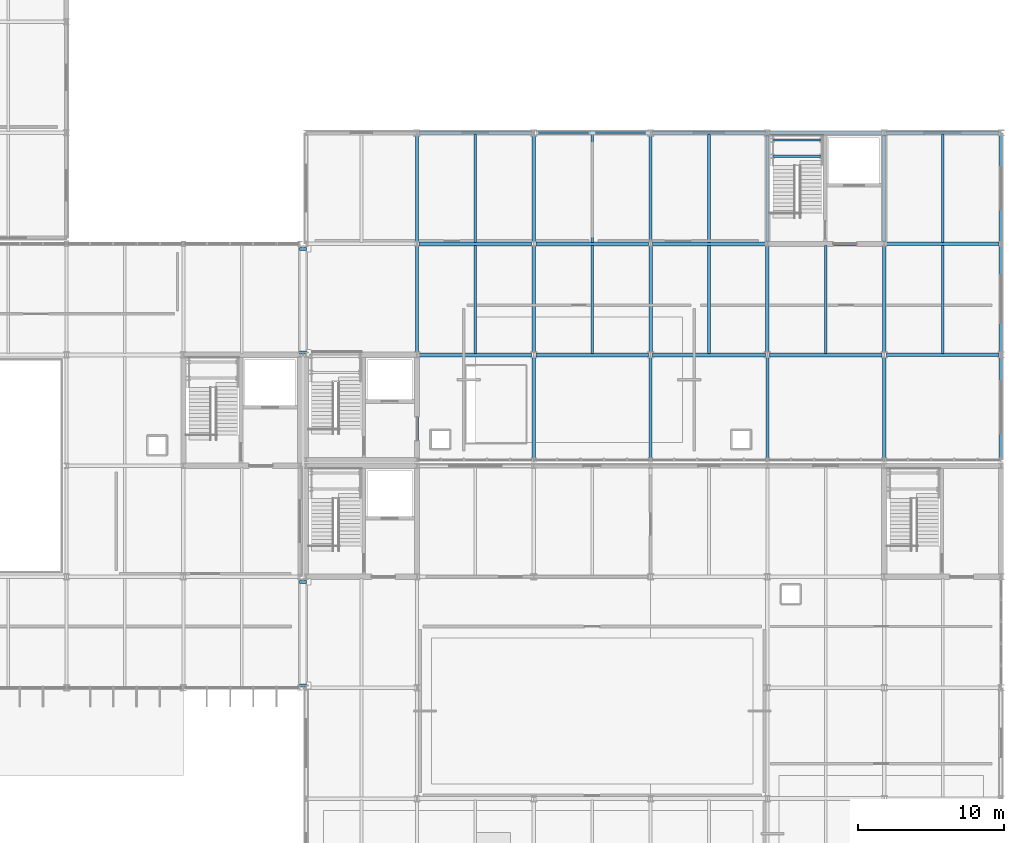
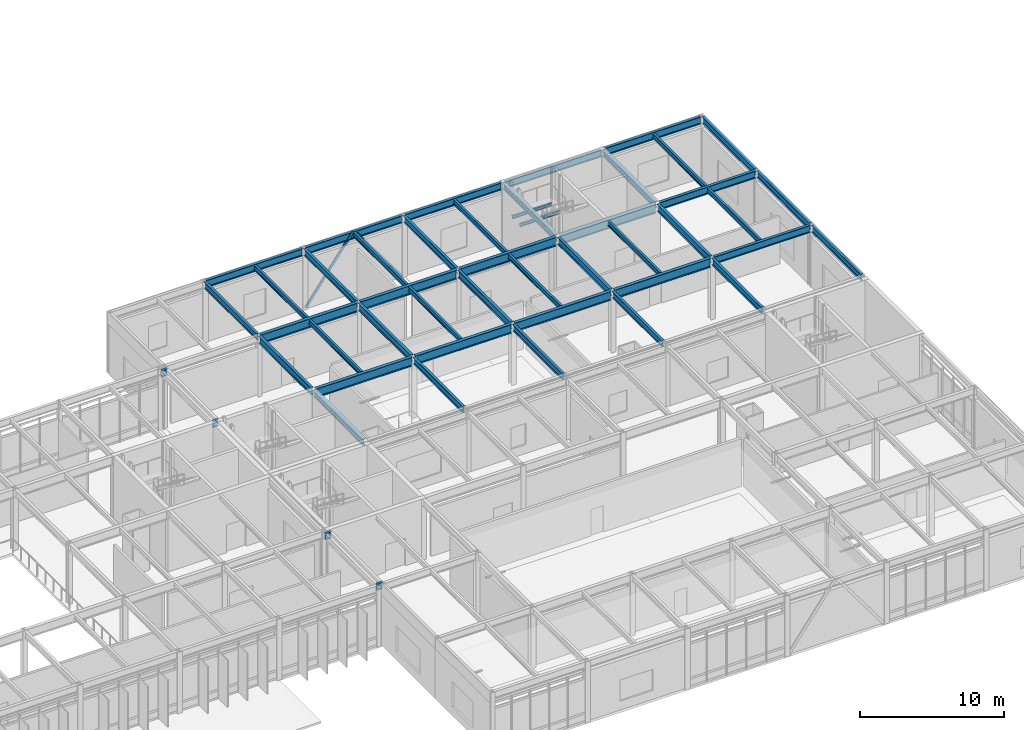
# One storey, part 60 of 94: 48 beams, 2 members.
"""IFC4 building model written with IfcOpenShell, lengths in metres."""

from ifc_helpers import new_model, si_unit, direction, frame, origin, origin_2d, place, context, subcontext, project, spatial, hollow_rectangle, i_section, extrude, material, material_profile, profile_set, type_object, element, save


model = new_model("IFC4")

# Units and contexts
model_context = context("Model", 3, precision=1e-05, world=origin(), true_north=direction((0.0, 1.0)))
body_context = subcontext(model_context, "Body", "Model", "MODEL_VIEW")
ifc_project = project(units=[si_unit("LENGTHUNIT", "METRE"), si_unit("AREAUNIT", "SQUARE_METRE"), si_unit("VOLUMEUNIT", "CUBIC_METRE"), si_unit("PLANEANGLEUNIT", "RADIAN"), si_unit("MASSUNIT", "GRAM", prefix="KILO")], contexts=[model_context])

# Site, building, storey
site_placement = place(None, origin())
site = spatial("IfcSite", under=ifc_project, at=site_placement, CompositionType="ELEMENT")
building_placement = place(site_placement, origin())
building = spatial("IfcBuilding", under=site, at=building_placement, Name="Zulena Civic Courthouse", CompositionType="ELEMENT")
storey_placement = place(building_placement, frame((0.0, 0.0, 5.39990234375)))
storey = spatial("IfcBuildingStorey", under=building, at=storey_placement, Name="L01", CompositionType="ELEMENT", Elevation=5.39990234375)

# Members
ifc_material_1 = material(Name="Steel ASTM A500 Grade C", Category="steel")
ifc_material_profile_1 = material_profile(ifc_material_1, hollow_rectangle(XDim=0.10205078125, YDim=0.202880859375, WallThickness=0.0087890625, at=origin_2d()), Name="HSS8X4X3/8")
ifc_profile_set_1 = profile_set([ifc_material_profile_1], Name="Steel ASTM A500 Grade C")
member_type = type_object("IfcMemberType", Name="Brace_HSS8X4", PredefinedType="BRACE", material=ifc_profile_set_1)
for number, where, z_axis, x_axis, name in (
    (1, (140.14990234375, 53.199951171875, 0.010009765625), (0.593725886298, 0.0, 0.804667367264), (0.0, 1.0, 0.0), "brace:V3:L01:3:0"),
    (2, (147.85009765625, 53.199951171875, 0.010009765625), (-0.593725886298, 0.0, 0.804667367264), (0.0, -1.0, 0.0), "brace:V3:L01:3:1"),
):
    element("IfcMember", number, at=place(storey_placement, frame(where, z_axis=z_axis, x_axis=x_axis)), inside=storey, type_object=member_type, Name=name, PredefinedType="BRACE", context=body_context, shape_type="SweptSolid", body=[
        extrude(hollow_rectangle(XDim=0.10205078125, YDim=0.202880859375, WallThickness=0.0087890625, at=origin_2d()), origin(), (0.0, 0.0, 1.0), 6.400390625),
    ])

# Beams
ifc_material_2 = material(Name="Steel ASTM A992 Grade 50", Category="steel")
ifc_material_profile_2 = material_profile(ifc_material_2, i_section(OverallWidth=0.2099609375, OverallDepth=0.537109375, WebThickness=0.010986328125, FlangeThickness=0.017333984375, FilletRadius=0.0126953125, at=origin_2d()), Name="W21X68")
ifc_profile_set_2 = profile_set([ifc_material_profile_2], Name="Steel ASTM A992 Grade 50")
beam_type_1 = type_object("IfcBeamType", Name="BridgeGirder_W21X68", PredefinedType="BEAM", material=ifc_profile_set_2)
for number, where, z_axis, x_axis, name in (
    (3, (123.969970703125, 15.35009765625, 4.91650390625), (1.0, 0.0, 0.0), (0.0, 1.0, 0.0), "beam:bridge:BR-41:L02:15.35"),
    (4, (123.969970703125, 22.449951171875, 4.91650390625), (1.0, 0.0, 0.0), (0.0, 1.0, 0.0), "beam:bridge:BR-41:L02:22.45"),
    (5, (123.969970703125, 38.14990234375, 4.91650390625), (1.0, 0.0, 0.0), (0.0, 1.0, 0.0), "beam:bridge:BR-43:L02:38.15"),
    (6, (123.969970703125, 45.25, 4.91650390625), (1.0, 0.0, 0.0), (0.0, 1.0, 0.0), "beam:bridge:BR-43:L02:45.25"),
):
    element("IfcBeam", number, at=place(storey_placement, frame(where, z_axis=z_axis, x_axis=x_axis)), inside=storey, type_object=beam_type_1, Name=name, PredefinedType="BEAM", context=body_context, shape_type="SweptSolid", body=[
        extrude(i_section(OverallWidth=0.2099609375, OverallDepth=0.537109375, WebThickness=0.010986328125, FlangeThickness=0.017333984375, FilletRadius=0.0126953125, at=origin_2d()), origin(), (0.0, 0.0, 1.0), 0.4599609375),
    ])
ifc_material_profile_3 = material_profile(ifc_material_2, i_section(OverallWidth=0.22802734375, OverallDepth=0.60693359375, WebThickness=0.01123046875, FlangeThickness=0.017333984375, FilletRadius=0.0126953125, at=origin_2d()), Name="W24X76")
ifc_profile_set_3 = profile_set([ifc_material_profile_3], Name="Steel ASTM A992 Grade 50")
beam_type_2 = type_object("IfcBeamType", Name="Girder_W24X76", PredefinedType="BEAM", material=ifc_profile_set_3)
for number, where, z_axis, x_axis, name in (
    (7, (132.0, 38.14501953125, 4.881591796875), (0.0, 1.0, 0.0), (-1.0, 0.0, 0.0), "beam:Y:V3:L01:132.0:38.0_45.6"),
    (8, (140.0, 38.14501953125, 4.881591796875), (0.0, 1.0, 0.0), (-1.0, 0.0, 0.0), "beam:Y:V3:L01:140.0:38.0_45.6"),
    (9, (148.0, 38.14501953125, 4.881591796875), (0.0, 1.0, 0.0), (-1.0, 0.0, 0.0), "beam:Y:V3:L01:148.0:38.0_45.6"),
    (10, (156.0, 38.14501953125, 4.881591796875), (0.0, 1.0, 0.0), (-1.0, 0.0, 0.0), "beam:Y:V3:L01:156.0:38.0_45.6"),
    (11, (164.0, 38.14501953125, 4.881591796875), (0.0, 1.0, 0.0), (-1.0, 0.0, 0.0), "beam:Y:V3:L01:164.0:38.0_45.6"),
):
    element("IfcBeam", number, at=place(storey_placement, frame(where, z_axis=z_axis, x_axis=x_axis)), inside=storey, type_object=beam_type_2, Name=name, PredefinedType="BEAM", context=body_context, shape_type="SweptSolid", body=[
        extrude(i_section(OverallWidth=0.22802734375, OverallDepth=0.60693359375, WebThickness=0.01123046875, FlangeThickness=0.017333984375, FilletRadius=0.0126953125, at=origin_2d()), origin(), (0.0, 0.0, 1.0), 7.31005859375),
    ])
ifc_material_profile_4 = material_profile(ifc_material_2, i_section(OverallWidth=0.26708984375, OverallDepth=0.761962890625, WebThickness=0.014404296875, FlangeThickness=0.021484375, FilletRadius=0.0166015625, at=origin_2d()), Name="W30X116")
ifc_profile_set_4 = profile_set([ifc_material_profile_4], Name="Steel ASTM A992 Grade 50")
beam_type_3 = type_object("IfcBeamType", Name="Girder_W30X116", PredefinedType="BEAM", material=ifc_profile_set_4)
for number, where, z_axis, x_axis, name in (
    (12, (132.14501953125, 38.0, 4.80419921875), (1.0, 0.0, 0.0), (0.0, 1.0, 0.0), "beam:X:V3:L01:38.0:132.0_140.0"),
    (13, (140.14501953125, 38.0, 4.80419921875), (1.0, 0.0, 0.0), (0.0, 1.0, 0.0), "beam:X:V3:L01:38.0:140.0_148.0"),
    (14, (148.14501953125, 38.0, 4.80419921875), (1.0, 0.0, 0.0), (0.0, 1.0, 0.0), "beam:X:V3:L01:38.0:148.0_156.0"),
    (15, (156.14501953125, 38.0, 4.80419921875), (1.0, 0.0, 0.0), (0.0, 1.0, 0.0), "beam:X:V3:L01:38.0:156.0_164.0"),
    (16, (132.14501953125, 45.60009765625, 4.80419921875), (1.0, 0.0, 0.0), (0.0, 1.0, 0.0), "beam:X:V3:L01:45.6:132.0_140.0"),
    (17, (140.14501953125, 45.60009765625, 4.80419921875), (1.0, 0.0, 0.0), (0.0, 1.0, 0.0), "beam:X:V3:L01:45.6:140.0_148.0"),
    (18, (148.14501953125, 45.60009765625, 4.80419921875), (1.0, 0.0, 0.0), (0.0, 1.0, 0.0), "beam:X:V3:L01:45.6:148.0_156.0"),
    (19, (156.14501953125, 45.60009765625, 4.80419921875), (1.0, 0.0, 0.0), (0.0, 1.0, 0.0), "beam:X:V3:L01:45.6:156.0_164.0"),
):
    element("IfcBeam", number, at=place(storey_placement, frame(where, z_axis=z_axis, x_axis=x_axis)), inside=storey, type_object=beam_type_3, Name=name, PredefinedType="BEAM", context=body_context, shape_type="SweptSolid", body=[
        extrude(i_section(OverallWidth=0.26708984375, OverallDepth=0.761962890625, WebThickness=0.014404296875, FlangeThickness=0.021484375, FilletRadius=0.0166015625, at=origin_2d()), origin(), (0.0, 0.0, 1.0), 7.7099609375),
    ])
ifc_material_profile_5 = material_profile(ifc_material_2, i_section(OverallWidth=0.14599609375, OverallDepth=0.258056640625, WebThickness=0.006103515625, FlangeThickness=0.009033203125, FilletRadius=0.007568359375, at=origin_2d()), Name="W10X22")
ifc_profile_set_5 = profile_set([ifc_material_profile_5], Name="Steel ASTM A992 Grade 50")
beam_type_4 = type_object("IfcBeamType", Name="Joist_W10X22", PredefinedType="JOIST", material=ifc_profile_set_5)
for number, where, z_axis, x_axis, name in (
    (20, (156.419921875, 51.60009765625, 2.291015625), (1.0, 0.0, 0.0), (0.0, 1.0, 0.0), "beam:lnd:K3B:L01:0"),
    (21, (156.419921875, 52.699951171875, 2.291015625), (1.0, 0.0, 0.0), (0.0, 1.0, 0.0), "beam:lnd:K3B:L01:1"),
):
    element("IfcBeam", number, at=place(storey_placement, frame(where, z_axis=z_axis, x_axis=x_axis)), inside=storey, type_object=beam_type_4, Name=name, PredefinedType="JOIST", context=body_context, shape_type="SweptSolid", body=[
        extrude(i_section(OverallWidth=0.14599609375, OverallDepth=0.258056640625, WebThickness=0.006103515625, FlangeThickness=0.009033203125, FilletRadius=0.007568359375, at=origin_2d()), origin(), (0.0, 0.0, 1.0), 3.2001953125),
    ])
ifc_material_profile_6 = material_profile(ifc_material_2, i_section(OverallWidth=0.180908203125, OverallDepth=0.4169921875, WebThickness=0.010986328125, FlangeThickness=0.018310546875, FilletRadius=0.01025390625, at=origin_2d()), Name="W16X57")
ifc_profile_set_6 = profile_set([ifc_material_profile_6], Name="Steel ASTM A992 Grade 50")
beam_type_5 = type_object("IfcBeamType", Name="Joist_W16X57", PredefinedType="JOIST", material=ifc_profile_set_6)
beam_1_placement = place(storey_placement, frame((136.0, 38.10498046875, 4.9765625), z_axis=(0.0, 1.0, 0.0), x_axis=(-1.0, 0.0, 0.0)))
element("IfcBeam", 22, at=beam_1_placement, inside=storey, type_object=beam_type_5, Name="joist:V3:L01:136.00:38.0_45.6", PredefinedType="JOIST", context=body_context, shape_type="SweptSolid", body=[
    extrude(i_section(OverallWidth=0.180908203125, OverallDepth=0.4169921875, WebThickness=0.010986328125, FlangeThickness=0.018310546875, FilletRadius=0.01025390625, at=origin_2d()), origin(), (0.0, 0.0, 1.0), 7.39013671875),
])
beam_2_placement = place(storey_placement, frame((136.0, 45.705078125, 4.9765625), z_axis=(0.0, 1.0, 0.0), x_axis=(-1.0, 0.0, 0.0)))
element("IfcBeam", 23, at=beam_2_placement, inside=storey, type_object=beam_type_5, Name="joist:V3:L01:136.00:45.6_53.2", PredefinedType="JOIST", context=body_context, shape_type="SweptSolid", body=[
    extrude(i_section(OverallWidth=0.180908203125, OverallDepth=0.4169921875, WebThickness=0.010986328125, FlangeThickness=0.018310546875, FilletRadius=0.01025390625, at=origin_2d()), origin(), (0.0, 0.0, 1.0), 7.389892578125),
])
beam_3_placement = place(storey_placement, frame((144.0, 38.10498046875, 4.9765625), z_axis=(0.0, 1.0, 0.0), x_axis=(-1.0, 0.0, 0.0)))
element("IfcBeam", 24, at=beam_3_placement, inside=storey, type_object=beam_type_5, Name="joist:V3:L01:144.00:38.0_45.6", PredefinedType="JOIST", context=body_context, shape_type="SweptSolid", body=[
    extrude(i_section(OverallWidth=0.180908203125, OverallDepth=0.4169921875, WebThickness=0.010986328125, FlangeThickness=0.018310546875, FilletRadius=0.01025390625, at=origin_2d()), origin(), (0.0, 0.0, 1.0), 7.39013671875),
])
beam_4_placement = place(storey_placement, frame((144.0, 45.705078125, 4.9765625), z_axis=(0.0, 1.0, 0.0), x_axis=(-1.0, 0.0, 0.0)))
element("IfcBeam", 25, at=beam_4_placement, inside=storey, type_object=beam_type_5, Name="joist:V3:L01:144.00:45.6_53.2", PredefinedType="JOIST", context=body_context, shape_type="SweptSolid", body=[
    extrude(i_section(OverallWidth=0.180908203125, OverallDepth=0.4169921875, WebThickness=0.010986328125, FlangeThickness=0.018310546875, FilletRadius=0.01025390625, at=origin_2d()), origin(), (0.0, 0.0, 1.0), 7.389892578125),
])
beam_5_placement = place(storey_placement, frame((152.0, 38.10498046875, 4.9765625), z_axis=(0.0, 1.0, 0.0), x_axis=(-1.0, 0.0, 0.0)))
element("IfcBeam", 26, at=beam_5_placement, inside=storey, type_object=beam_type_5, Name="joist:V3:L01:152.00:38.0_45.6", PredefinedType="JOIST", context=body_context, shape_type="SweptSolid", body=[
    extrude(i_section(OverallWidth=0.180908203125, OverallDepth=0.4169921875, WebThickness=0.010986328125, FlangeThickness=0.018310546875, FilletRadius=0.01025390625, at=origin_2d()), origin(), (0.0, 0.0, 1.0), 7.39013671875),
])
beam_6_placement = place(storey_placement, frame((152.0, 45.705078125, 4.9765625), z_axis=(0.0, 1.0, 0.0), x_axis=(-1.0, 0.0, 0.0)))
element("IfcBeam", 27, at=beam_6_placement, inside=storey, type_object=beam_type_5, Name="joist:V3:L01:152.00:45.6_53.2", PredefinedType="JOIST", context=body_context, shape_type="SweptSolid", body=[
    extrude(i_section(OverallWidth=0.180908203125, OverallDepth=0.4169921875, WebThickness=0.010986328125, FlangeThickness=0.018310546875, FilletRadius=0.01025390625, at=origin_2d()), origin(), (0.0, 0.0, 1.0), 7.389892578125),
])
for number, where, z_axis, x_axis, name in (
    (28, (160.0, 38.10498046875, 4.9765625), (0.0, 1.0, 0.0), (-1.0, 0.0, 0.0), "joist:V3:L01:160.00:38.0_45.6"),
    (29, (168.0, 38.10498046875, 4.9765625), (0.0, 1.0, 0.0), (-1.0, 0.0, 0.0), "joist:V3:L01:168.00:38.0_45.6"),
):
    element("IfcBeam", number, at=place(storey_placement, frame(where, z_axis=z_axis, x_axis=x_axis)), inside=storey, type_object=beam_type_5, Name=name, PredefinedType="JOIST", context=body_context, shape_type="SweptSolid", body=[
        extrude(i_section(OverallWidth=0.180908203125, OverallDepth=0.4169921875, WebThickness=0.010986328125, FlangeThickness=0.018310546875, FilletRadius=0.01025390625, at=origin_2d()), origin(), (0.0, 0.0, 1.0), 7.39013671875),
    ])
beam_7_placement = place(storey_placement, frame((168.0, 45.705078125, 4.9765625), z_axis=(0.0, 1.0, 0.0), x_axis=(-1.0, 0.0, 0.0)))
element("IfcBeam", 30, at=beam_7_placement, inside=storey, type_object=beam_type_5, Name="joist:V3:L01:168.00:45.6_53.2", PredefinedType="JOIST", context=body_context, shape_type="SweptSolid", body=[
    extrude(i_section(OverallWidth=0.180908203125, OverallDepth=0.4169921875, WebThickness=0.010986328125, FlangeThickness=0.018310546875, FilletRadius=0.01025390625, at=origin_2d()), origin(), (0.0, 0.0, 1.0), 7.389892578125),
])
ifc_material_profile_7 = material_profile(ifc_material_2, i_section(OverallWidth=0.2099609375, OverallDepth=0.537109375, WebThickness=0.010986328125, FlangeThickness=0.017333984375, FilletRadius=0.0126953125, at=origin_2d()), Name="W21X68")
ifc_profile_set_7 = profile_set([ifc_material_profile_7], Name="Steel ASTM A992 Grade 50")
beam_type_6 = type_object("IfcBeamType", Name="Spandrel_W21X68", PredefinedType="SPANDREL", material=ifc_profile_set_7)
beam_8_placement = place(storey_placement, frame((132.0, 30.945068359375, 4.91650390625), z_axis=(0.0, 1.0, 0.0), x_axis=(-1.0, 0.0, 0.0)))
element("IfcBeam", 31, at=beam_8_placement, inside=storey, type_object=beam_type_6, Name="beam:Y:V3:L01:132.0:30.8_38.0", PredefinedType="SPANDREL", context=body_context, shape_type="SweptSolid", body=[
    extrude(i_section(OverallWidth=0.2099609375, OverallDepth=0.537109375, WebThickness=0.010986328125, FlangeThickness=0.017333984375, FilletRadius=0.0126953125, at=origin_2d()), origin(), (0.0, 0.0, 1.0), 6.909912109375),
])
beam_9_placement = place(storey_placement, frame((132.0, 45.7451171875, 4.91650390625), z_axis=(0.0, 1.0, 0.0), x_axis=(-1.0, 0.0, 0.0)))
element("IfcBeam", 32, at=beam_9_placement, inside=storey, type_object=beam_type_6, Name="beam:Y:V3:L01:132.0:45.6_53.2", PredefinedType="SPANDREL", context=body_context, shape_type="SweptSolid", body=[
    extrude(i_section(OverallWidth=0.2099609375, OverallDepth=0.537109375, WebThickness=0.010986328125, FlangeThickness=0.017333984375, FilletRadius=0.0126953125, at=origin_2d()), origin(), (0.0, 0.0, 1.0), 7.309814453125),
])
beam_10_placement = place(storey_placement, frame((140.0, 30.945068359375, 4.91650390625), z_axis=(0.0, 1.0, 0.0), x_axis=(-1.0, 0.0, 0.0)))
element("IfcBeam", 33, at=beam_10_placement, inside=storey, type_object=beam_type_6, Name="beam:Y:V3:L01:140.0:30.8_38.0", PredefinedType="SPANDREL", context=body_context, shape_type="SweptSolid", body=[
    extrude(i_section(OverallWidth=0.2099609375, OverallDepth=0.537109375, WebThickness=0.010986328125, FlangeThickness=0.017333984375, FilletRadius=0.0126953125, at=origin_2d()), origin(), (0.0, 0.0, 1.0), 6.909912109375),
])
beam_11_placement = place(storey_placement, frame((140.0, 45.7451171875, 4.91650390625), z_axis=(0.0, 1.0, 0.0), x_axis=(-1.0, 0.0, 0.0)))
element("IfcBeam", 34, at=beam_11_placement, inside=storey, type_object=beam_type_6, Name="beam:Y:V3:L01:140.0:45.6_53.2", PredefinedType="SPANDREL", context=body_context, shape_type="SweptSolid", body=[
    extrude(i_section(OverallWidth=0.2099609375, OverallDepth=0.537109375, WebThickness=0.010986328125, FlangeThickness=0.017333984375, FilletRadius=0.0126953125, at=origin_2d()), origin(), (0.0, 0.0, 1.0), 7.309814453125),
])
beam_12_placement = place(storey_placement, frame((148.0, 30.945068359375, 4.91650390625), z_axis=(0.0, 1.0, 0.0), x_axis=(-1.0, 0.0, 0.0)))
element("IfcBeam", 35, at=beam_12_placement, inside=storey, type_object=beam_type_6, Name="beam:Y:V3:L01:148.0:30.8_38.0", PredefinedType="SPANDREL", context=body_context, shape_type="SweptSolid", body=[
    extrude(i_section(OverallWidth=0.2099609375, OverallDepth=0.537109375, WebThickness=0.010986328125, FlangeThickness=0.017333984375, FilletRadius=0.0126953125, at=origin_2d()), origin(), (0.0, 0.0, 1.0), 6.909912109375),
])
beam_13_placement = place(storey_placement, frame((148.0, 45.7451171875, 4.91650390625), z_axis=(0.0, 1.0, 0.0), x_axis=(-1.0, 0.0, 0.0)))
element("IfcBeam", 36, at=beam_13_placement, inside=storey, type_object=beam_type_6, Name="beam:Y:V3:L01:148.0:45.6_53.2", PredefinedType="SPANDREL", context=body_context, shape_type="SweptSolid", body=[
    extrude(i_section(OverallWidth=0.2099609375, OverallDepth=0.537109375, WebThickness=0.010986328125, FlangeThickness=0.017333984375, FilletRadius=0.0126953125, at=origin_2d()), origin(), (0.0, 0.0, 1.0), 7.309814453125),
])
beam_14_placement = place(storey_placement, frame((156.0, 30.945068359375, 4.91650390625), z_axis=(0.0, 1.0, 0.0), x_axis=(-1.0, 0.0, 0.0)))
element("IfcBeam", 37, at=beam_14_placement, inside=storey, type_object=beam_type_6, Name="beam:Y:V3:L01:156.0:30.8_38.0", PredefinedType="SPANDREL", context=body_context, shape_type="SweptSolid", body=[
    extrude(i_section(OverallWidth=0.2099609375, OverallDepth=0.537109375, WebThickness=0.010986328125, FlangeThickness=0.017333984375, FilletRadius=0.0126953125, at=origin_2d()), origin(), (0.0, 0.0, 1.0), 6.909912109375),
])
beam_15_placement = place(storey_placement, frame((156.0, 45.7451171875, 4.91650390625), z_axis=(0.0, 1.0, 0.0), x_axis=(-1.0, 0.0, 0.0)))
element("IfcBeam", 38, at=beam_15_placement, inside=storey, type_object=beam_type_6, Name="beam:Y:V3:L01:156.0:45.6_53.2", PredefinedType="SPANDREL", context=body_context, shape_type="SweptSolid", body=[
    extrude(i_section(OverallWidth=0.2099609375, OverallDepth=0.537109375, WebThickness=0.010986328125, FlangeThickness=0.017333984375, FilletRadius=0.0126953125, at=origin_2d()), origin(), (0.0, 0.0, 1.0), 7.309814453125),
])
beam_16_placement = place(storey_placement, frame((164.0, 30.945068359375, 4.91650390625), z_axis=(0.0, 1.0, 0.0), x_axis=(-1.0, 0.0, 0.0)))
element("IfcBeam", 39, at=beam_16_placement, inside=storey, type_object=beam_type_6, Name="beam:Y:V3:L01:164.0:30.8_38.0", PredefinedType="SPANDREL", context=body_context, shape_type="SweptSolid", body=[
    extrude(i_section(OverallWidth=0.2099609375, OverallDepth=0.537109375, WebThickness=0.010986328125, FlangeThickness=0.017333984375, FilletRadius=0.0126953125, at=origin_2d()), origin(), (0.0, 0.0, 1.0), 6.909912109375),
])
beam_17_placement = place(storey_placement, frame((164.0, 45.7451171875, 4.91650390625), z_axis=(0.0, 1.0, 0.0), x_axis=(-1.0, 0.0, 0.0)))
element("IfcBeam", 40, at=beam_17_placement, inside=storey, type_object=beam_type_6, Name="beam:Y:V3:L01:164.0:45.6_53.2", PredefinedType="SPANDREL", context=body_context, shape_type="SweptSolid", body=[
    extrude(i_section(OverallWidth=0.2099609375, OverallDepth=0.537109375, WebThickness=0.010986328125, FlangeThickness=0.017333984375, FilletRadius=0.0126953125, at=origin_2d()), origin(), (0.0, 0.0, 1.0), 7.309814453125),
])
beam_18_placement = place(storey_placement, frame((172.0, 30.945068359375, 4.91650390625), z_axis=(0.0, 1.0, 0.0), x_axis=(-1.0, 0.0, 0.0)))
element("IfcBeam", 41, at=beam_18_placement, inside=storey, type_object=beam_type_6, Name="beam:Y:V3:L01:172.0:30.8_38.0", PredefinedType="SPANDREL", context=body_context, shape_type="SweptSolid", body=[
    extrude(i_section(OverallWidth=0.2099609375, OverallDepth=0.537109375, WebThickness=0.010986328125, FlangeThickness=0.017333984375, FilletRadius=0.0126953125, at=origin_2d()), origin(), (0.0, 0.0, 1.0), 6.909912109375),
])
beam_19_placement = place(storey_placement, frame((172.0, 38.14501953125, 4.91650390625), z_axis=(0.0, 1.0, 0.0), x_axis=(-1.0, 0.0, 0.0)))
element("IfcBeam", 42, at=beam_19_placement, inside=storey, type_object=beam_type_6, Name="beam:Y:V3:L01:172.0:38.0_45.6", PredefinedType="SPANDREL", context=body_context, shape_type="SweptSolid", body=[
    extrude(i_section(OverallWidth=0.2099609375, OverallDepth=0.537109375, WebThickness=0.010986328125, FlangeThickness=0.017333984375, FilletRadius=0.0126953125, at=origin_2d()), origin(), (0.0, 0.0, 1.0), 7.31005859375),
])
beam_20_placement = place(storey_placement, frame((172.0, 45.7451171875, 4.91650390625), z_axis=(0.0, 1.0, 0.0), x_axis=(-1.0, 0.0, 0.0)))
element("IfcBeam", 43, at=beam_20_placement, inside=storey, type_object=beam_type_6, Name="beam:Y:V3:L01:172.0:45.6_53.2", PredefinedType="SPANDREL", context=body_context, shape_type="SweptSolid", body=[
    extrude(i_section(OverallWidth=0.2099609375, OverallDepth=0.537109375, WebThickness=0.010986328125, FlangeThickness=0.017333984375, FilletRadius=0.0126953125, at=origin_2d()), origin(), (0.0, 0.0, 1.0), 7.309814453125),
])
ifc_material_profile_8 = material_profile(ifc_material_2, i_section(OverallWidth=0.22998046875, OverallDepth=0.616943359375, WebThickness=0.01318359375, FlangeThickness=0.022216796875, FilletRadius=0.0126953125, at=origin_2d()), Name="W24X94")
ifc_profile_set_8 = profile_set([ifc_material_profile_8], Name="Steel ASTM A992 Grade 50")
beam_type_7 = type_object("IfcBeamType", Name="Spandrel_W24X94", PredefinedType="SPANDREL", material=ifc_profile_set_8)
for number, where, z_axis, x_axis, name in (
    (44, (164.14501953125, 38.0, 4.876708984375), (1.0, 0.0, 0.0), (0.0, 1.0, 0.0), "beam:X:V3:L01:38.0:164.0_172.0"),
    (45, (164.14501953125, 45.60009765625, 4.876708984375), (1.0, 0.0, 0.0), (0.0, 1.0, 0.0), "beam:X:V3:L01:45.6:164.0_172.0"),
    (46, (132.14501953125, 53.199951171875, 4.876708984375), (1.0, 0.0, 0.0), (0.0, 1.0, 0.0), "beam:X:V3:L01:53.2:132.0_140.0"),
    (47, (140.14501953125, 53.199951171875, 4.876708984375), (1.0, 0.0, 0.0), (0.0, 1.0, 0.0), "beam:X:V3:L01:53.2:140.0_148.0"),
    (48, (148.14501953125, 53.199951171875, 4.876708984375), (1.0, 0.0, 0.0), (0.0, 1.0, 0.0), "beam:X:V3:L01:53.2:148.0_156.0"),
    (49, (156.14501953125, 53.199951171875, 4.876708984375), (1.0, 0.0, 0.0), (0.0, 1.0, 0.0), "beam:X:V3:L01:53.2:156.0_164.0"),
    (50, (164.14501953125, 53.199951171875, 4.876708984375), (1.0, 0.0, 0.0), (0.0, 1.0, 0.0), "beam:X:V3:L01:53.2:164.0_172.0"),
):
    element("IfcBeam", number, at=place(storey_placement, frame(where, z_axis=z_axis, x_axis=x_axis)), inside=storey, type_object=beam_type_7, Name=name, PredefinedType="SPANDREL", context=body_context, shape_type="SweptSolid", body=[
        extrude(i_section(OverallWidth=0.22998046875, OverallDepth=0.616943359375, WebThickness=0.01318359375, FlangeThickness=0.022216796875, FilletRadius=0.0126953125, at=origin_2d()), origin(), (0.0, 0.0, 1.0), 7.7099609375),
    ])

save(model, "model.ifc")
